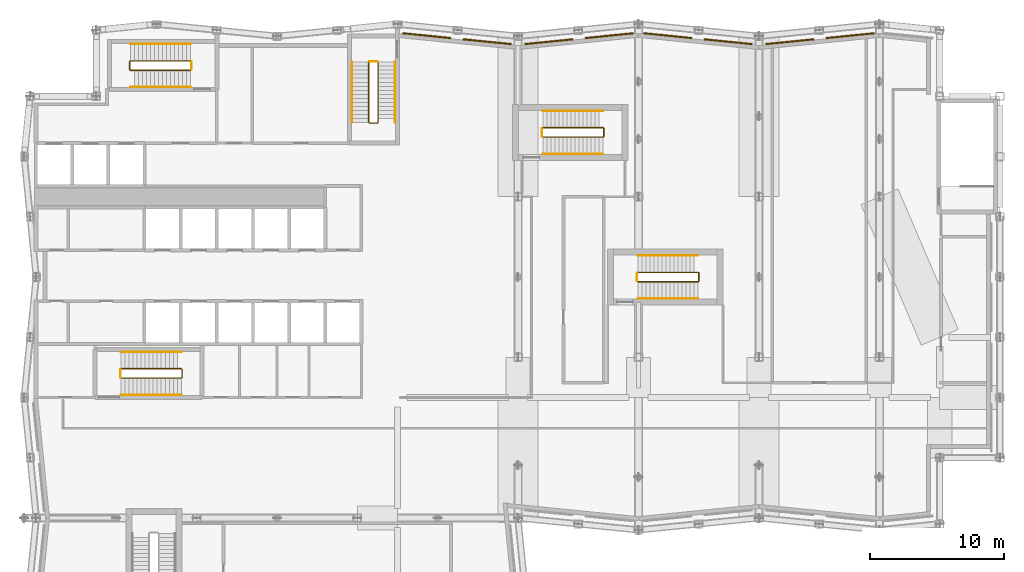
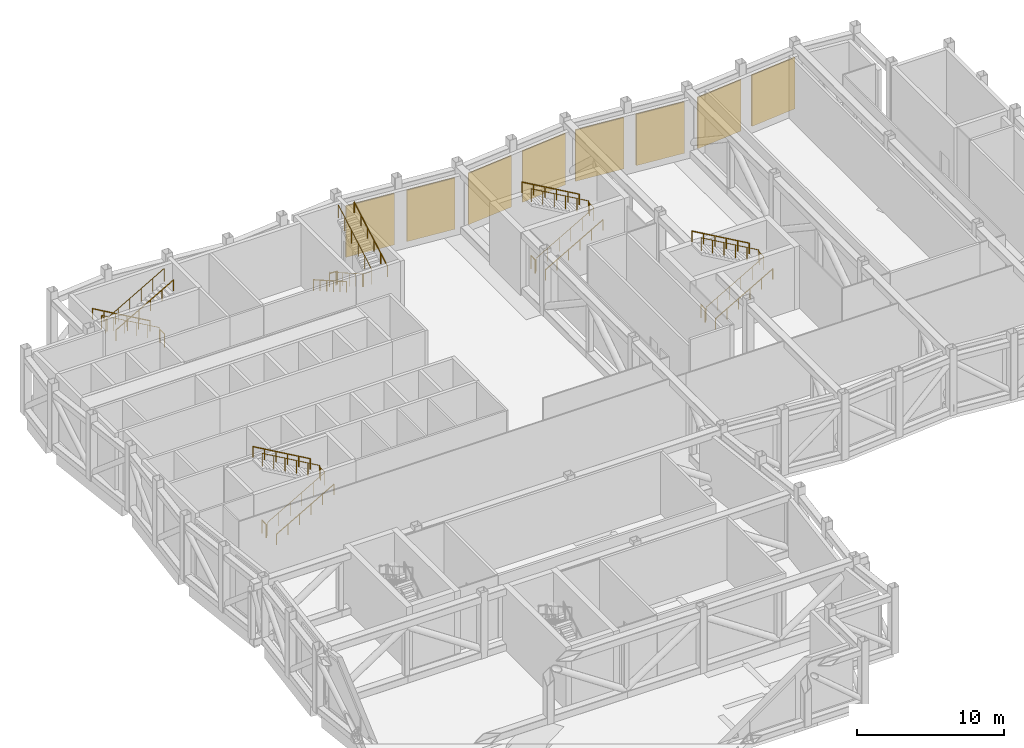
# One storey, part 21 of 22: 20 railings, 8 coverings.
"""IFC4 building model written with IfcOpenShell, lengths in metres."""

from ifc_helpers import new_model, si_unit, direction, frame, origin, origin_2d, place, context, subcontext, project, spatial, rectangle, circle, extrude, material, layer, layer_set, type_object, element, save


model = new_model("IFC4")

# Units and contexts
model_context = context("Model", 3, precision=1e-05, world=origin(), true_north=direction((0.0, 1.0)))
body_context = subcontext(model_context, "Body", "Model", "MODEL_VIEW")
ifc_project = project(units=[si_unit("LENGTHUNIT", "METRE"), si_unit("AREAUNIT", "SQUARE_METRE"), si_unit("VOLUMEUNIT", "CUBIC_METRE"), si_unit("PLANEANGLEUNIT", "RADIAN"), si_unit("MASSUNIT", "GRAM", prefix="KILO")], contexts=[model_context])

# Site, building, storey
site_placement = place(None, origin())
site = spatial("IfcSite", under=ifc_project, at=site_placement, CompositionType="ELEMENT")
building_placement = place(site_placement, origin())
building = spatial("IfcBuilding", under=site, at=building_placement, Name="Brondeck Convention Tower", CompositionType="ELEMENT")
storey_placement = place(building_placement, frame((0.0, 0.0, 32.0)))
storey = spatial("IfcBuildingStorey", under=building, at=storey_placement, Name="L05", CompositionType="ELEMENT", Elevation=32.0)

# Coverings
ifc_material_1 = material(Name="Aluminium, bronze anodised", Category="aluminium")
ifc_layer = layer(ifc_material_1, 0.10009765625)
ifc_layer_set = layer_set([ifc_layer], Name="Plant wall LOUVRE cladding")
covering_type = type_object("IfcCoveringType", Name="Plant wall LOUVRE cladding", PredefinedType="CLADDING", material=ifc_layer_set)
for number, where, z_axis, x_axis, name in (
    (1, (60.814697265625, 63.0283203125, 0.300048828125), (0.0, 0.0, 1.0), (-0.995037178292, -0.0995038382, 0.0), "ENV-PW-L05-P0-A-N-13"),
    (2, (56.314697265625, 62.578125, 0.300048828125), (0.0, 0.0, 1.0), (-0.995037178292, -0.0995038382, 0.0), "ENV-PW-L05-P0-A-N-12"),
    (3, (51.685302734375, 62.578125, 0.300048828125), (0.0, 0.0, 1.0), (-0.995037178292, 0.0995038382, 0.0), "ENV-PW-L05-P0-A-N-11"),
    (4, (47.185302734375, 63.0283203125, 0.300048828125), (0.0, 0.0, 1.0), (-0.995037178292, 0.0995038382, 0.0), "ENV-PW-L05-P0-A-N-10"),
    (5, (42.814697265625, 63.0283203125, 0.300048828125), (0.0, 0.0, 1.0), (-0.995037178292, -0.0995038382, 0.0), "ENV-PW-L05-P0-A-N-09"),
    (6, (38.314697265625, 62.578125, 0.300048828125), (0.0, 0.0, 1.0), (-0.995037178292, -0.0995038382, 0.0), "ENV-PW-L05-P0-A-N-08"),
    (7, (33.685302734375, 62.578125, 0.300048828125), (0.0, 0.0, 1.0), (-0.995037178292, 0.0995038382, 0.0), "ENV-PW-L05-P0-A-N-07"),
    (8, (29.185302734375, 63.0283203125, 0.300048828125), (0.0, 0.0, 1.0), (-0.995037178292, 0.0995038382, 0.0), "ENV-PW-L05-P0-A-N-06"),
):
    element("IfcCovering", number, at=place(storey_placement, frame(where, z_axis=z_axis, x_axis=x_axis)), inside=storey, type_object=covering_type, Name=name, PredefinedType="CLADDING", context=body_context, shape_type="SweptSolid", body=[
        extrude(rectangle(XDim=3.602294921875, YDim=0.10009765625, at=origin_2d()), origin(), (0.0, 0.0, 1.0), 4.25),
    ])

# Railings
ifc_material_2 = material(Name="Steel S355", Category="steel")
railing_type_1 = type_object("IfcRailingType", Name="Stair guard 1100", PredefinedType="GUARDRAIL", material=ifc_material_2)
railing_1_placement = place(storey_placement, frame((6.35009765625, 37.449951171875, 0.171875)))
element("IfcRailing", 9, at=railing_1_placement, inside=storey, type_object=railing_type_1, Name="L05 ST-1 stair guard 1", PredefinedType="GUARDRAIL", context=body_context, shape_type="SweptSolid", body=[
    extrude(circle(Radius=0.02392578125, at=origin_2d()), frame((0.0, 0.0, 1.076171875), z_axis=(0.867686387293, 0.0, 0.49711199272), x_axis=(0.0, 1.0, 0.0)), (0.0, 0.0, 1.0), 5.186279296875),
    extrude(circle(Radius=0.02392578125, at=origin_2d()), frame((4.5, 0.0, 3.654296875), z_axis=(0.705375805398, 0.708833529934, 0.0), x_axis=(-0.708833529934, 0.705375805398, 0.0)), (0.0, 0.0, 1.0), 0.070556640625),
    extrude(circle(Radius=0.02392578125, at=origin_2d()), frame((4.5498046875, 0.050048828125, 3.654296875), z_axis=(0.0, 1.0, 0.0), x_axis=(-1.0, 0.0, 0.0)), (0.0, 0.0, 1.0), 0.60009765625),
    extrude(circle(Radius=0.02392578125, at=origin_2d()), frame((4.5498046875, 0.650146484375, 3.654296875), z_axis=(-0.268131537743, 0.268131537743, 0.92531667927), x_axis=(-0.707106781187, -0.707106781187, 0.0)), (0.0, 0.0, 1.0), 0.185791015625),
    extrude(circle(Radius=0.02392578125, at=origin_2d()), frame((4.5, 0.699951171875, 3.826171875), z_axis=(-0.867686387293, 0.0, 0.49711199272), x_axis=(0.0, -1.0, 0.0)), (0.0, 0.0, 1.0), 5.186279296875),
    extrude(circle(Radius=0.02099609375, at=origin_2d()), origin(), (0.0, 0.0, 1.0), 1.052001953125),
    extrude(circle(Radius=0.02099609375, at=origin_2d()), frame((0.89990234375, 0.0, 0.515625)), (0.0, 0.0, 1.0), 1.052001953125),
    extrude(circle(Radius=0.02099609375, at=origin_2d()), frame((1.800048828125, 0.0, 1.03125)), (0.0, 0.0, 1.0), 1.052001953125),
    extrude(circle(Radius=0.02099609375, at=origin_2d()), frame((2.699951171875, 0.0, 1.546875)), (0.0, 0.0, 1.0), 1.052001953125),
    extrude(circle(Radius=0.02099609375, at=origin_2d()), frame((3.60009765625, 0.0, 2.0625)), (0.0, 0.0, 1.0), 1.052001953125),
    extrude(circle(Radius=0.02099609375, at=origin_2d()), frame((4.5, 0.0, 2.578125)), (0.0, 0.0, 1.0), 1.052001953125),
    extrude(circle(Radius=0.02099609375, at=origin_2d()), frame((4.5498046875, 0.050048828125, 2.578125)), (0.0, 0.0, 1.0), 1.052001953125),
    extrude(circle(Radius=0.02099609375, at=origin_2d()), frame((4.5498046875, 0.650146484375, 2.578125)), (0.0, 0.0, 1.0), 1.052001953125),
    extrude(circle(Radius=0.02099609375, at=origin_2d()), frame((4.5, 0.699951171875, 2.75)), (0.0, 0.0, 1.0), 1.052001953125),
    extrude(circle(Radius=0.02099609375, at=origin_2d()), frame((3.60009765625, 0.699951171875, 3.265625)), (0.0, 0.0, 1.0), 1.052001953125),
    extrude(circle(Radius=0.02099609375, at=origin_2d()), frame((2.699951171875, 0.699951171875, 3.78125)), (0.0, 0.0, 1.0), 1.052001953125),
    extrude(circle(Radius=0.02099609375, at=origin_2d()), frame((1.800048828125, 0.699951171875, 4.296875)), (0.0, 0.0, 1.0), 1.052001953125),
    extrude(circle(Radius=0.02099609375, at=origin_2d()), frame((0.89990234375, 0.699951171875, 4.8125)), (0.0, 0.0, 1.0), 1.052001953125),
    extrude(circle(Radius=0.02099609375, at=origin_2d()), frame((0.0, 0.699951171875, 5.328125)), (0.0, 0.0, 1.0), 1.052001953125),
])
railing_2_placement = place(storey_placement, frame((6.300048828125, 37.5, 0.0)))
element("IfcRailing", 10, at=railing_2_placement, inside=storey, type_object=railing_type_1, Name="L05 ST-1 stair guard 2", PredefinedType="GUARDRAIL", context=body_context, shape_type="SweptSolid", body=[
    extrude(circle(Radius=0.02392578125, at=origin_2d()), frame((0.0, 0.0, 1.076171875), z_axis=(0.0, 1.0, 0.0), x_axis=(-1.0, 0.0, 0.0)), (0.0, 0.0, 1.0), 0.60009765625),
    extrude(circle(Radius=0.02099609375, at=origin_2d()), origin(), (0.0, 0.0, 1.0), 1.052001953125),
    extrude(circle(Radius=0.02099609375, at=origin_2d()), frame((0.0, 0.60009765625, 0.0)), (0.0, 0.0, 1.0), 1.052001953125),
])
railing_3_placement = place(storey_placement, frame((24.85009765625, 61.050048828125, 0.171875)))
element("IfcRailing", 11, at=railing_3_placement, inside=storey, type_object=railing_type_1, Name="L05 ST-2 stair guard 1", PredefinedType="GUARDRAIL", context=body_context, shape_type="SweptSolid", body=[
    extrude(circle(Radius=0.02392578125, at=origin_2d()), frame((0.0, 0.0, 1.076171875), z_axis=(0.0, -0.867686387293, 0.49711199272), x_axis=(1.0, 0.0, 0.0)), (0.0, 0.0, 1.0), 5.186279296875),
    extrude(circle(Radius=0.02392578125, at=origin_2d()), frame((0.0, -4.5, 3.654296875), z_axis=(0.705375805398, -0.708833529934, 0.0), x_axis=(0.708833529934, 0.705375805398, 0.0)), (0.0, 0.0, 1.0), 0.070556640625),
    extrude(circle(Radius=0.02392578125, at=origin_2d()), frame((0.0498046875, -4.550048828125, 3.654296875), z_axis=(1.0, 0.0, 0.0), x_axis=(0.0, 1.0, 0.0)), (0.0, 0.0, 1.0), 0.60009765625),
    extrude(circle(Radius=0.02392578125, at=origin_2d()), frame((0.64990234375, -4.550048828125, 3.654296875), z_axis=(0.269255725606, 0.269255725606, 0.92466356501), x_axis=(-0.707106781187, 0.707106781187, 0.0)), (0.0, 0.0, 1.0), 0.185791015625),
    extrude(circle(Radius=0.02392578125, at=origin_2d()), frame((0.699951171875, -4.5, 3.826171875), z_axis=(0.0, 0.867686387293, 0.49711199272), x_axis=(-1.0, 0.0, 0.0)), (0.0, 0.0, 1.0), 5.186279296875),
    extrude(circle(Radius=0.02099609375, at=origin_2d()), origin(), (0.0, 0.0, 1.0), 1.052001953125),
    extrude(circle(Radius=0.02099609375, at=origin_2d()), frame((0.0, -0.89990234375, 0.515625)), (0.0, 0.0, 1.0), 1.052001953125),
    extrude(circle(Radius=0.02099609375, at=origin_2d()), frame((0.0, -1.800048828125, 1.03125)), (0.0, 0.0, 1.0), 1.052001953125),
    extrude(circle(Radius=0.02099609375, at=origin_2d()), frame((0.0, -2.699951171875, 1.546875)), (0.0, 0.0, 1.0), 1.052001953125),
    extrude(circle(Radius=0.02099609375, at=origin_2d()), frame((0.0, -3.60009765625, 2.0625)), (0.0, 0.0, 1.0), 1.052001953125),
    extrude(circle(Radius=0.02099609375, at=origin_2d()), frame((0.0, -4.5, 2.578125)), (0.0, 0.0, 1.0), 1.052001953125),
    extrude(circle(Radius=0.02099609375, at=origin_2d()), frame((0.0498046875, -4.550048828125, 2.578125)), (0.0, 0.0, 1.0), 1.052001953125),
    extrude(circle(Radius=0.02099609375, at=origin_2d()), frame((0.64990234375, -4.550048828125, 2.578125)), (0.0, 0.0, 1.0), 1.052001953125),
    extrude(circle(Radius=0.02099609375, at=origin_2d()), frame((0.699951171875, -4.5, 2.75)), (0.0, 0.0, 1.0), 1.052001953125),
    extrude(circle(Radius=0.02099609375, at=origin_2d()), frame((0.699951171875, -3.60009765625, 3.265625)), (0.0, 0.0, 1.0), 1.052001953125),
    extrude(circle(Radius=0.02099609375, at=origin_2d()), frame((0.699951171875, -2.699951171875, 3.78125)), (0.0, 0.0, 1.0), 1.052001953125),
    extrude(circle(Radius=0.02099609375, at=origin_2d()), frame((0.699951171875, -1.800048828125, 4.296875)), (0.0, 0.0, 1.0), 1.052001953125),
    extrude(circle(Radius=0.02099609375, at=origin_2d()), frame((0.699951171875, -0.89990234375, 4.8125)), (0.0, 0.0, 1.0), 1.052001953125),
    extrude(circle(Radius=0.02099609375, at=origin_2d()), frame((0.699951171875, 0.0, 5.328125)), (0.0, 0.0, 1.0), 1.052001953125),
])
railing_4_placement = place(storey_placement, frame((24.89990234375, 61.10009765625, 0.0)))
element("IfcRailing", 12, at=railing_4_placement, inside=storey, type_object=railing_type_1, Name="L05 ST-2 stair guard 2", PredefinedType="GUARDRAIL", context=body_context, shape_type="SweptSolid", body=[
    extrude(circle(Radius=0.02392578125, at=origin_2d()), frame((0.0, 0.0, 1.076171875), z_axis=(1.0, 0.0, 0.0), x_axis=(0.0, 1.0, 0.0)), (0.0, 0.0, 1.0), 0.60009765625),
    extrude(circle(Radius=0.02099609375, at=origin_2d()), origin(), (0.0, 0.0, 1.0), 1.052001953125),
    extrude(circle(Radius=0.02099609375, at=origin_2d()), frame((0.60009765625, 0.0, 0.0)), (0.0, 0.0, 1.0), 1.052001953125),
])
railing_5_placement = place(storey_placement, frame((11.550048828125, 61.14990234375, 0.171875)))
element("IfcRailing", 13, at=railing_5_placement, inside=storey, type_object=railing_type_1, Name="L05 ST-3 stair guard 1", PredefinedType="GUARDRAIL", context=body_context, shape_type="SweptSolid", body=[
    extrude(circle(Radius=0.02392578125, at=origin_2d()), frame((0.0, 0.0, 1.076171875), z_axis=(-0.867686387293, 0.0, 0.49711199272), x_axis=(0.0, -1.0, 0.0)), (0.0, 0.0, 1.0), 5.186279296875),
    extrude(circle(Radius=0.02392578125, at=origin_2d()), frame((-4.5, 0.0, 3.654296875), z_axis=(-0.708833529934, -0.705375805398, 0.0), x_axis=(0.705375805398, -0.708833529934, 0.0)), (0.0, 0.0, 1.0), 0.070556640625),
    extrude(circle(Radius=0.02392578125, at=origin_2d()), frame((-4.550048828125, -0.0498046875, 3.654296875), z_axis=(0.0, -1.0, 0.0), x_axis=(1.0, 0.0, 0.0)), (0.0, 0.0, 1.0), 0.60009765625),
    extrude(circle(Radius=0.02392578125, at=origin_2d()), frame((-4.550048828125, -0.64990234375, 3.654296875), z_axis=(0.269255725606, -0.269255725606, 0.92466356501), x_axis=(0.707106781187, 0.707106781187, 0.0)), (0.0, 0.0, 1.0), 0.185791015625),
    extrude(circle(Radius=0.02392578125, at=origin_2d()), frame((-4.5, -0.699951171875, 3.826171875), z_axis=(0.867686387293, 0.0, 0.49711199272), x_axis=(0.0, 1.0, 0.0)), (0.0, 0.0, 1.0), 5.186279296875),
    extrude(circle(Radius=0.02099609375, at=origin_2d()), origin(), (0.0, 0.0, 1.0), 1.052001953125),
    extrude(circle(Radius=0.02099609375, at=origin_2d()), frame((-0.89990234375, 0.0, 0.515625)), (0.0, 0.0, 1.0), 1.052001953125),
    extrude(circle(Radius=0.02099609375, at=origin_2d()), frame((-1.800048828125, 0.0, 1.03125)), (0.0, 0.0, 1.0), 1.052001953125),
    extrude(circle(Radius=0.02099609375, at=origin_2d()), frame((-2.699951171875, 0.0, 1.546875)), (0.0, 0.0, 1.0), 1.052001953125),
    extrude(circle(Radius=0.02099609375, at=origin_2d()), frame((-3.60009765625, 0.0, 2.0625)), (0.0, 0.0, 1.0), 1.052001953125),
    extrude(circle(Radius=0.02099609375, at=origin_2d()), frame((-4.5, 0.0, 2.578125)), (0.0, 0.0, 1.0), 1.052001953125),
    extrude(circle(Radius=0.02099609375, at=origin_2d()), frame((-4.550048828125, -0.0498046875, 2.578125)), (0.0, 0.0, 1.0), 1.052001953125),
    extrude(circle(Radius=0.02099609375, at=origin_2d()), frame((-4.550048828125, -0.64990234375, 2.578125)), (0.0, 0.0, 1.0), 1.052001953125),
    extrude(circle(Radius=0.02099609375, at=origin_2d()), frame((-4.5, -0.699951171875, 2.75)), (0.0, 0.0, 1.0), 1.052001953125),
    extrude(circle(Radius=0.02099609375, at=origin_2d()), frame((-3.60009765625, -0.699951171875, 3.265625)), (0.0, 0.0, 1.0), 1.052001953125),
    extrude(circle(Radius=0.02099609375, at=origin_2d()), frame((-2.699951171875, -0.699951171875, 3.78125)), (0.0, 0.0, 1.0), 1.052001953125),
    extrude(circle(Radius=0.02099609375, at=origin_2d()), frame((-1.800048828125, -0.699951171875, 4.296875)), (0.0, 0.0, 1.0), 1.052001953125),
    extrude(circle(Radius=0.02099609375, at=origin_2d()), frame((-0.89990234375, -0.699951171875, 4.8125)), (0.0, 0.0, 1.0), 1.052001953125),
    extrude(circle(Radius=0.02099609375, at=origin_2d()), frame((0.0, -0.699951171875, 5.328125)), (0.0, 0.0, 1.0), 1.052001953125),
])
railing_6_placement = place(storey_placement, frame((11.60009765625, 61.10009765625, 0.0)))
element("IfcRailing", 14, at=railing_6_placement, inside=storey, type_object=railing_type_1, Name="L05 ST-3 stair guard 2", PredefinedType="GUARDRAIL", context=body_context, shape_type="SweptSolid", body=[
    extrude(circle(Radius=0.02392578125, at=origin_2d()), frame((0.0, 0.0, 1.076171875), z_axis=(0.0, -1.0, 0.0), x_axis=(1.0, 0.0, 0.0)), (0.0, 0.0, 1.0), 0.60009765625),
    extrude(circle(Radius=0.02099609375, at=origin_2d()), origin(), (0.0, 0.0, 1.0), 1.052001953125),
    extrude(circle(Radius=0.02099609375, at=origin_2d()), frame((0.0, -0.60009765625, 0.0)), (0.0, 0.0, 1.0), 1.052001953125),
])
railing_7_placement = place(storey_placement, frame((37.85009765625, 55.449951171875, 0.171875)))
element("IfcRailing", 15, at=railing_7_placement, inside=storey, type_object=railing_type_1, Name="L05 ST-AE stair guard 1", PredefinedType="GUARDRAIL", context=body_context, shape_type="SweptSolid", body=[
    extrude(circle(Radius=0.02392578125, at=origin_2d()), frame((0.0, 0.0, 1.076171875), z_axis=(0.867686387293, 0.0, 0.49711199272), x_axis=(0.0, 1.0, 0.0)), (0.0, 0.0, 1.0), 5.186279296875),
    extrude(circle(Radius=0.02392578125, at=origin_2d()), frame((4.5, 0.0, 3.654296875), z_axis=(0.705375805398, 0.708833529934, 0.0), x_axis=(-0.708833529934, 0.705375805398, 0.0)), (0.0, 0.0, 1.0), 0.070556640625),
    extrude(circle(Radius=0.02392578125, at=origin_2d()), frame((4.5498046875, 0.050048828125, 3.654296875), z_axis=(0.0, 1.0, 0.0), x_axis=(-1.0, 0.0, 0.0)), (0.0, 0.0, 1.0), 0.60009765625),
    extrude(circle(Radius=0.02392578125, at=origin_2d()), frame((4.5498046875, 0.650146484375, 3.654296875), z_axis=(-0.268131537743, 0.268131537743, 0.92531667927), x_axis=(-0.707106781187, -0.707106781187, 0.0)), (0.0, 0.0, 1.0), 0.185791015625),
    extrude(circle(Radius=0.02392578125, at=origin_2d()), frame((4.5, 0.699951171875, 3.826171875), z_axis=(-0.867686387293, 0.0, 0.49711199272), x_axis=(0.0, -1.0, 0.0)), (0.0, 0.0, 1.0), 5.186279296875),
    extrude(circle(Radius=0.02099609375, at=origin_2d()), origin(), (0.0, 0.0, 1.0), 1.052001953125),
    extrude(circle(Radius=0.02099609375, at=origin_2d()), frame((0.89990234375, 0.0, 0.515625)), (0.0, 0.0, 1.0), 1.052001953125),
    extrude(circle(Radius=0.02099609375, at=origin_2d()), frame((1.800048828125, 0.0, 1.03125)), (0.0, 0.0, 1.0), 1.052001953125),
    extrude(circle(Radius=0.02099609375, at=origin_2d()), frame((2.699951171875, 0.0, 1.546875)), (0.0, 0.0, 1.0), 1.052001953125),
    extrude(circle(Radius=0.02099609375, at=origin_2d()), frame((3.60009765625, 0.0, 2.0625)), (0.0, 0.0, 1.0), 1.052001953125),
    extrude(circle(Radius=0.02099609375, at=origin_2d()), frame((4.5, 0.0, 2.578125)), (0.0, 0.0, 1.0), 1.052001953125),
    extrude(circle(Radius=0.02099609375, at=origin_2d()), frame((4.5498046875, 0.050048828125, 2.578125)), (0.0, 0.0, 1.0), 1.052001953125),
    extrude(circle(Radius=0.02099609375, at=origin_2d()), frame((4.5498046875, 0.650146484375, 2.578125)), (0.0, 0.0, 1.0), 1.052001953125),
    extrude(circle(Radius=0.02099609375, at=origin_2d()), frame((4.5, 0.699951171875, 2.75)), (0.0, 0.0, 1.0), 1.052001953125),
    extrude(circle(Radius=0.02099609375, at=origin_2d()), frame((3.60009765625, 0.699951171875, 3.265625)), (0.0, 0.0, 1.0), 1.052001953125),
    extrude(circle(Radius=0.02099609375, at=origin_2d()), frame((2.699951171875, 0.699951171875, 3.78125)), (0.0, 0.0, 1.0), 1.052001953125),
    extrude(circle(Radius=0.02099609375, at=origin_2d()), frame((1.800048828125, 0.699951171875, 4.296875)), (0.0, 0.0, 1.0), 1.052001953125),
    extrude(circle(Radius=0.02099609375, at=origin_2d()), frame((0.89990234375, 0.699951171875, 4.8125)), (0.0, 0.0, 1.0), 1.052001953125),
    extrude(circle(Radius=0.02099609375, at=origin_2d()), frame((0.0, 0.699951171875, 5.328125)), (0.0, 0.0, 1.0), 1.052001953125),
])
railing_8_placement = place(storey_placement, frame((37.800048828125, 55.5, 0.0)))
element("IfcRailing", 16, at=railing_8_placement, inside=storey, type_object=railing_type_1, Name="L05 ST-AE stair guard 2", PredefinedType="GUARDRAIL", context=body_context, shape_type="SweptSolid", body=[
    extrude(circle(Radius=0.02392578125, at=origin_2d()), frame((0.0, 0.0, 1.076171875), z_axis=(0.0, 1.0, 0.0), x_axis=(-1.0, 0.0, 0.0)), (0.0, 0.0, 1.0), 0.60009765625),
    extrude(circle(Radius=0.02099609375, at=origin_2d()), origin(), (0.0, 0.0, 1.0), 1.052001953125),
    extrude(circle(Radius=0.02099609375, at=origin_2d()), frame((0.0, 0.60009765625, 0.0)), (0.0, 0.0, 1.0), 1.052001953125),
])
railing_9_placement = place(storey_placement, frame((44.949951171875, 44.64990234375, 0.171875)))
element("IfcRailing", 17, at=railing_9_placement, inside=storey, type_object=railing_type_1, Name="L05 ST-AF stair guard 1", PredefinedType="GUARDRAIL", context=body_context, shape_type="SweptSolid", body=[
    extrude(circle(Radius=0.02392578125, at=origin_2d()), frame((0.0, 0.0, 1.076171875), z_axis=(0.867686387293, 0.0, 0.49711199272), x_axis=(0.0, 1.0, 0.0)), (0.0, 0.0, 1.0), 5.186279296875),
    extrude(circle(Radius=0.02392578125, at=origin_2d()), frame((4.5, 0.0, 3.654296875), z_axis=(0.707106781187, 0.707106781187, 0.0), x_axis=(-0.707106781187, 0.707106781187, 0.0)), (0.0, 0.0, 1.0), 0.07080078125),
    extrude(circle(Radius=0.02392578125, at=origin_2d()), frame((4.550048828125, 0.050048828125, 3.654296875), z_axis=(0.0, 1.0, 0.0), x_axis=(-1.0, 0.0, 0.0)), (0.0, 0.0, 1.0), 0.60009765625),
    extrude(circle(Radius=0.02392578125, at=origin_2d()), frame((4.550048828125, 0.650146484375, 3.654296875), z_axis=(-0.269255725606, 0.269255725606, 0.92466356501), x_axis=(-0.707106781187, -0.707106781187, 0.0)), (0.0, 0.0, 1.0), 0.185791015625),
    extrude(circle(Radius=0.02392578125, at=origin_2d()), frame((4.5, 0.7001953125, 3.826171875), z_axis=(-0.867686387293, 0.0, 0.49711199272), x_axis=(0.0, -1.0, 0.0)), (0.0, 0.0, 1.0), 5.186279296875),
    extrude(circle(Radius=0.02099609375, at=origin_2d()), origin(), (0.0, 0.0, 1.0), 1.052001953125),
    extrude(circle(Radius=0.02099609375, at=origin_2d()), frame((0.89990234375, 0.0, 0.515625)), (0.0, 0.0, 1.0), 1.052001953125),
    extrude(circle(Radius=0.02099609375, at=origin_2d()), frame((1.800048828125, 0.0, 1.03125)), (0.0, 0.0, 1.0), 1.052001953125),
    extrude(circle(Radius=0.02099609375, at=origin_2d()), frame((2.699951171875, 0.0, 1.546875)), (0.0, 0.0, 1.0), 1.052001953125),
    extrude(circle(Radius=0.02099609375, at=origin_2d()), frame((3.60009765625, 0.0, 2.0625)), (0.0, 0.0, 1.0), 1.052001953125),
    extrude(circle(Radius=0.02099609375, at=origin_2d()), frame((4.5, 0.0, 2.578125)), (0.0, 0.0, 1.0), 1.052001953125),
    extrude(circle(Radius=0.02099609375, at=origin_2d()), frame((4.550048828125, 0.050048828125, 2.578125)), (0.0, 0.0, 1.0), 1.052001953125),
    extrude(circle(Radius=0.02099609375, at=origin_2d()), frame((4.550048828125, 0.650146484375, 2.578125)), (0.0, 0.0, 1.0), 1.052001953125),
    extrude(circle(Radius=0.02099609375, at=origin_2d()), frame((4.5, 0.7001953125, 2.75)), (0.0, 0.0, 1.0), 1.052001953125),
    extrude(circle(Radius=0.02099609375, at=origin_2d()), frame((3.60009765625, 0.7001953125, 3.265625)), (0.0, 0.0, 1.0), 1.052001953125),
    extrude(circle(Radius=0.02099609375, at=origin_2d()), frame((2.699951171875, 0.7001953125, 3.78125)), (0.0, 0.0, 1.0), 1.052001953125),
    extrude(circle(Radius=0.02099609375, at=origin_2d()), frame((1.800048828125, 0.7001953125, 4.296875)), (0.0, 0.0, 1.0), 1.052001953125),
    extrude(circle(Radius=0.02099609375, at=origin_2d()), frame((0.89990234375, 0.7001953125, 4.8125)), (0.0, 0.0, 1.0), 1.052001953125),
    extrude(circle(Radius=0.02099609375, at=origin_2d()), frame((0.0, 0.7001953125, 5.328125)), (0.0, 0.0, 1.0), 1.052001953125),
])
railing_10_placement = place(storey_placement, frame((44.89990234375, 44.699951171875, 0.0)))
element("IfcRailing", 18, at=railing_10_placement, inside=storey, type_object=railing_type_1, Name="L05 ST-AF stair guard 2", PredefinedType="GUARDRAIL", context=body_context, shape_type="SweptSolid", body=[
    extrude(circle(Radius=0.02392578125, at=origin_2d()), frame((0.0, 0.0, 1.076171875), z_axis=(0.0, 1.0, 0.0), x_axis=(-1.0, 0.0, 0.0)), (0.0, 0.0, 1.0), 0.60009765625),
    extrude(circle(Radius=0.02099609375, at=origin_2d()), origin(), (0.0, 0.0, 1.0), 1.052001953125),
    extrude(circle(Radius=0.02099609375, at=origin_2d()), frame((0.0, 0.60009765625, 0.0)), (0.0, 0.0, 1.0), 1.052001953125),
])
railing_type_2 = type_object("IfcRailingType", Name="Stair handrail", PredefinedType="HANDRAIL", material=ifc_material_2)
railing_11_placement = place(storey_placement, frame((6.35009765625, 36.199951171875, 0.171875)))
element("IfcRailing", 19, at=railing_11_placement, inside=storey, type_object=railing_type_2, Name="L05 ST-1 stair handrail 1", PredefinedType="HANDRAIL", context=body_context, shape_type="SweptSolid", body=[
    extrude(circle(Radius=0.02392578125, at=origin_2d()), frame((0.0, 0.0, 0.8759765625), z_axis=(0.867686387293, 0.0, 0.49711199272), x_axis=(0.0, 1.0, 0.0)), (0.0, 0.0, 1.0), 5.186279296875),
    extrude(circle(Radius=0.02099609375, at=origin_2d()), origin(), (0.0, 0.0, 1.0), 0.851806640625),
    extrude(circle(Radius=0.02099609375, at=origin_2d()), frame((0.89990234375, 0.0, 0.515625)), (0.0, 0.0, 1.0), 0.851806640625),
    extrude(circle(Radius=0.02099609375, at=origin_2d()), frame((1.800048828125, 0.0, 1.03125)), (0.0, 0.0, 1.0), 0.851806640625),
    extrude(circle(Radius=0.02099609375, at=origin_2d()), frame((2.699951171875, 0.0, 1.546875)), (0.0, 0.0, 1.0), 0.851806640625),
    extrude(circle(Radius=0.02099609375, at=origin_2d()), frame((3.60009765625, 0.0, 2.0625)), (0.0, 0.0, 1.0), 0.851806640625),
    extrude(circle(Radius=0.02099609375, at=origin_2d()), frame((4.5, 0.0, 2.578125)), (0.0, 0.0, 1.0), 0.851806640625),
])
railing_12_placement = place(storey_placement, frame((10.85009765625, 39.39990234375, 2.921875)))
element("IfcRailing", 20, at=railing_12_placement, inside=storey, type_object=railing_type_2, Name="L05 ST-1 stair handrail 2", PredefinedType="HANDRAIL", context=body_context, shape_type="SweptSolid", body=[
    extrude(circle(Radius=0.02392578125, at=origin_2d()), frame((0.0, 0.0, 0.8759765625), z_axis=(-0.867686387293, 0.0, 0.49711199272), x_axis=(0.0, -1.0, 0.0)), (0.0, 0.0, 1.0), 5.186279296875),
    extrude(circle(Radius=0.02099609375, at=origin_2d()), origin(), (0.0, 0.0, 1.0), 0.851806640625),
    extrude(circle(Radius=0.02099609375, at=origin_2d()), frame((-0.89990234375, 0.0, 0.515625)), (0.0, 0.0, 1.0), 0.851806640625),
    extrude(circle(Radius=0.02099609375, at=origin_2d()), frame((-1.800048828125, 0.0, 1.03125)), (0.0, 0.0, 1.0), 0.851806640625),
    extrude(circle(Radius=0.02099609375, at=origin_2d()), frame((-2.699951171875, 0.0, 1.546875)), (0.0, 0.0, 1.0), 0.851806640625),
    extrude(circle(Radius=0.02099609375, at=origin_2d()), frame((-3.60009765625, 0.0, 2.0625)), (0.0, 0.0, 1.0), 0.851806640625),
    extrude(circle(Radius=0.02099609375, at=origin_2d()), frame((-4.5, 0.0, 2.578125)), (0.0, 0.0, 1.0), 0.851806640625),
])
railing_13_placement = place(storey_placement, frame((23.60009765625, 61.050048828125, 0.171875)))
element("IfcRailing", 21, at=railing_13_placement, inside=storey, type_object=railing_type_2, Name="L05 ST-2 stair handrail 1", PredefinedType="HANDRAIL", context=body_context, shape_type="SweptSolid", body=[
    extrude(circle(Radius=0.02392578125, at=origin_2d()), frame((0.0, 0.0, 0.8759765625), z_axis=(0.0, -0.867686387293, 0.49711199272), x_axis=(1.0, 0.0, 0.0)), (0.0, 0.0, 1.0), 5.186279296875),
    extrude(circle(Radius=0.02099609375, at=origin_2d()), origin(), (0.0, 0.0, 1.0), 0.851806640625),
    extrude(circle(Radius=0.02099609375, at=origin_2d()), frame((0.0, -0.89990234375, 0.515625)), (0.0, 0.0, 1.0), 0.851806640625),
    extrude(circle(Radius=0.02099609375, at=origin_2d()), frame((0.0, -1.800048828125, 1.03125)), (0.0, 0.0, 1.0), 0.851806640625),
    extrude(circle(Radius=0.02099609375, at=origin_2d()), frame((0.0, -2.699951171875, 1.546875)), (0.0, 0.0, 1.0), 0.851806640625),
    extrude(circle(Radius=0.02099609375, at=origin_2d()), frame((0.0, -3.60009765625, 2.0625)), (0.0, 0.0, 1.0), 0.851806640625),
    extrude(circle(Radius=0.02099609375, at=origin_2d()), frame((0.0, -4.5, 2.578125)), (0.0, 0.0, 1.0), 0.851806640625),
])
railing_14_placement = place(storey_placement, frame((26.800048828125, 56.550048828125, 2.921875)))
element("IfcRailing", 22, at=railing_14_placement, inside=storey, type_object=railing_type_2, Name="L05 ST-2 stair handrail 2", PredefinedType="HANDRAIL", context=body_context, shape_type="SweptSolid", body=[
    extrude(circle(Radius=0.02392578125, at=origin_2d()), frame((0.0, 0.0, 0.8759765625), z_axis=(0.0, 0.867686387293, 0.49711199272), x_axis=(-1.0, 0.0, 0.0)), (0.0, 0.0, 1.0), 5.186279296875),
    extrude(circle(Radius=0.02099609375, at=origin_2d()), origin(), (0.0, 0.0, 1.0), 0.851806640625),
    extrude(circle(Radius=0.02099609375, at=origin_2d()), frame((0.0, 0.89990234375, 0.515625)), (0.0, 0.0, 1.0), 0.851806640625),
    extrude(circle(Radius=0.02099609375, at=origin_2d()), frame((0.0, 1.800048828125, 1.03125)), (0.0, 0.0, 1.0), 0.851806640625),
    extrude(circle(Radius=0.02099609375, at=origin_2d()), frame((0.0, 2.699951171875, 1.546875)), (0.0, 0.0, 1.0), 0.851806640625),
    extrude(circle(Radius=0.02099609375, at=origin_2d()), frame((0.0, 3.60009765625, 2.0625)), (0.0, 0.0, 1.0), 0.851806640625),
    extrude(circle(Radius=0.02099609375, at=origin_2d()), frame((0.0, 4.5, 2.578125)), (0.0, 0.0, 1.0), 0.851806640625),
])
railing_15_placement = place(storey_placement, frame((11.550048828125, 62.39990234375, 0.171875)))
element("IfcRailing", 23, at=railing_15_placement, inside=storey, type_object=railing_type_2, Name="L05 ST-3 stair handrail 1", PredefinedType="HANDRAIL", context=body_context, shape_type="SweptSolid", body=[
    extrude(circle(Radius=0.02392578125, at=origin_2d()), frame((0.0, 0.0, 0.8759765625), z_axis=(-0.867686387293, 0.0, 0.49711199272), x_axis=(0.0, -1.0, 0.0)), (0.0, 0.0, 1.0), 5.186279296875),
    extrude(circle(Radius=0.02099609375, at=origin_2d()), origin(), (0.0, 0.0, 1.0), 0.851806640625),
    extrude(circle(Radius=0.02099609375, at=origin_2d()), frame((-0.89990234375, 0.0, 0.515625)), (0.0, 0.0, 1.0), 0.851806640625),
    extrude(circle(Radius=0.02099609375, at=origin_2d()), frame((-1.800048828125, 0.0, 1.03125)), (0.0, 0.0, 1.0), 0.851806640625),
    extrude(circle(Radius=0.02099609375, at=origin_2d()), frame((-2.699951171875, 0.0, 1.546875)), (0.0, 0.0, 1.0), 0.851806640625),
    extrude(circle(Radius=0.02099609375, at=origin_2d()), frame((-3.60009765625, 0.0, 2.0625)), (0.0, 0.0, 1.0), 0.851806640625),
    extrude(circle(Radius=0.02099609375, at=origin_2d()), frame((-4.5, 0.0, 2.578125)), (0.0, 0.0, 1.0), 0.851806640625),
])
for number, where, name in (
    (24, (7.050048828125, 59.199951171875, 2.921875), "L05 ST-3 stair handrail 2"),
    (25, (37.85009765625, 54.199951171875, 0.171875), "L05 ST-AE stair handrail 1"),
):
    element("IfcRailing", number, at=place(storey_placement, frame(where)), inside=storey, type_object=railing_type_2, Name=name, PredefinedType="HANDRAIL", context=body_context, shape_type="SweptSolid", body=[
        extrude(circle(Radius=0.02392578125, at=origin_2d()), frame((0.0, 0.0, 0.8759765625), z_axis=(0.867686387293, 0.0, 0.49711199272), x_axis=(0.0, 1.0, 0.0)), (0.0, 0.0, 1.0), 5.186279296875),
        extrude(circle(Radius=0.02099609375, at=origin_2d()), origin(), (0.0, 0.0, 1.0), 0.851806640625),
        extrude(circle(Radius=0.02099609375, at=origin_2d()), frame((0.89990234375, 0.0, 0.515625)), (0.0, 0.0, 1.0), 0.851806640625),
        extrude(circle(Radius=0.02099609375, at=origin_2d()), frame((1.800048828125, 0.0, 1.03125)), (0.0, 0.0, 1.0), 0.851806640625),
        extrude(circle(Radius=0.02099609375, at=origin_2d()), frame((2.699951171875, 0.0, 1.546875)), (0.0, 0.0, 1.0), 0.851806640625),
        extrude(circle(Radius=0.02099609375, at=origin_2d()), frame((3.60009765625, 0.0, 2.0625)), (0.0, 0.0, 1.0), 0.851806640625),
        extrude(circle(Radius=0.02099609375, at=origin_2d()), frame((4.5, 0.0, 2.578125)), (0.0, 0.0, 1.0), 0.851806640625),
    ])
railing_16_placement = place(storey_placement, frame((42.35009765625, 57.39990234375, 2.921875)))
element("IfcRailing", 26, at=railing_16_placement, inside=storey, type_object=railing_type_2, Name="L05 ST-AE stair handrail 2", PredefinedType="HANDRAIL", context=body_context, shape_type="SweptSolid", body=[
    extrude(circle(Radius=0.02392578125, at=origin_2d()), frame((0.0, 0.0, 0.8759765625), z_axis=(-0.867686387293, 0.0, 0.49711199272), x_axis=(0.0, -1.0, 0.0)), (0.0, 0.0, 1.0), 5.186279296875),
    extrude(circle(Radius=0.02099609375, at=origin_2d()), origin(), (0.0, 0.0, 1.0), 0.851806640625),
    extrude(circle(Radius=0.02099609375, at=origin_2d()), frame((-0.89990234375, 0.0, 0.515625)), (0.0, 0.0, 1.0), 0.851806640625),
    extrude(circle(Radius=0.02099609375, at=origin_2d()), frame((-1.800048828125, 0.0, 1.03125)), (0.0, 0.0, 1.0), 0.851806640625),
    extrude(circle(Radius=0.02099609375, at=origin_2d()), frame((-2.699951171875, 0.0, 1.546875)), (0.0, 0.0, 1.0), 0.851806640625),
    extrude(circle(Radius=0.02099609375, at=origin_2d()), frame((-3.60009765625, 0.0, 2.0625)), (0.0, 0.0, 1.0), 0.851806640625),
    extrude(circle(Radius=0.02099609375, at=origin_2d()), frame((-4.5, 0.0, 2.578125)), (0.0, 0.0, 1.0), 0.851806640625),
])
railing_17_placement = place(storey_placement, frame((44.949951171875, 43.39990234375, 0.171875)))
element("IfcRailing", 27, at=railing_17_placement, inside=storey, type_object=railing_type_2, Name="L05 ST-AF stair handrail 1", PredefinedType="HANDRAIL", context=body_context, shape_type="SweptSolid", body=[
    extrude(circle(Radius=0.02392578125, at=origin_2d()), frame((0.0, 0.0, 0.8759765625), z_axis=(0.867686387293, 0.0, 0.49711199272), x_axis=(0.0, 1.0, 0.0)), (0.0, 0.0, 1.0), 5.186279296875),
    extrude(circle(Radius=0.02099609375, at=origin_2d()), origin(), (0.0, 0.0, 1.0), 0.851806640625),
    extrude(circle(Radius=0.02099609375, at=origin_2d()), frame((0.89990234375, 0.0, 0.515625)), (0.0, 0.0, 1.0), 0.851806640625),
    extrude(circle(Radius=0.02099609375, at=origin_2d()), frame((1.800048828125, 0.0, 1.03125)), (0.0, 0.0, 1.0), 0.851806640625),
    extrude(circle(Radius=0.02099609375, at=origin_2d()), frame((2.699951171875, 0.0, 1.546875)), (0.0, 0.0, 1.0), 0.851806640625),
    extrude(circle(Radius=0.02099609375, at=origin_2d()), frame((3.60009765625, 0.0, 2.0625)), (0.0, 0.0, 1.0), 0.851806640625),
    extrude(circle(Radius=0.02099609375, at=origin_2d()), frame((4.5, 0.0, 2.578125)), (0.0, 0.0, 1.0), 0.851806640625),
])
railing_18_placement = place(storey_placement, frame((49.449951171875, 46.60009765625, 2.921875)))
element("IfcRailing", 28, at=railing_18_placement, inside=storey, type_object=railing_type_2, Name="L05 ST-AF stair handrail 2", PredefinedType="HANDRAIL", context=body_context, shape_type="SweptSolid", body=[
    extrude(circle(Radius=0.02392578125, at=origin_2d()), frame((0.0, 0.0, 0.8759765625), z_axis=(-0.867686387293, 0.0, 0.49711199272), x_axis=(0.0, -1.0, 0.0)), (0.0, 0.0, 1.0), 5.186279296875),
    extrude(circle(Radius=0.02099609375, at=origin_2d()), origin(), (0.0, 0.0, 1.0), 0.851806640625),
    extrude(circle(Radius=0.02099609375, at=origin_2d()), frame((-0.89990234375, 0.0, 0.515625)), (0.0, 0.0, 1.0), 0.851806640625),
    extrude(circle(Radius=0.02099609375, at=origin_2d()), frame((-1.800048828125, 0.0, 1.03125)), (0.0, 0.0, 1.0), 0.851806640625),
    extrude(circle(Radius=0.02099609375, at=origin_2d()), frame((-2.699951171875, 0.0, 1.546875)), (0.0, 0.0, 1.0), 0.851806640625),
    extrude(circle(Radius=0.02099609375, at=origin_2d()), frame((-3.60009765625, 0.0, 2.0625)), (0.0, 0.0, 1.0), 0.851806640625),
    extrude(circle(Radius=0.02099609375, at=origin_2d()), frame((-4.5, 0.0, 2.578125)), (0.0, 0.0, 1.0), 0.851806640625),
])

save(model, "model.ifc")
